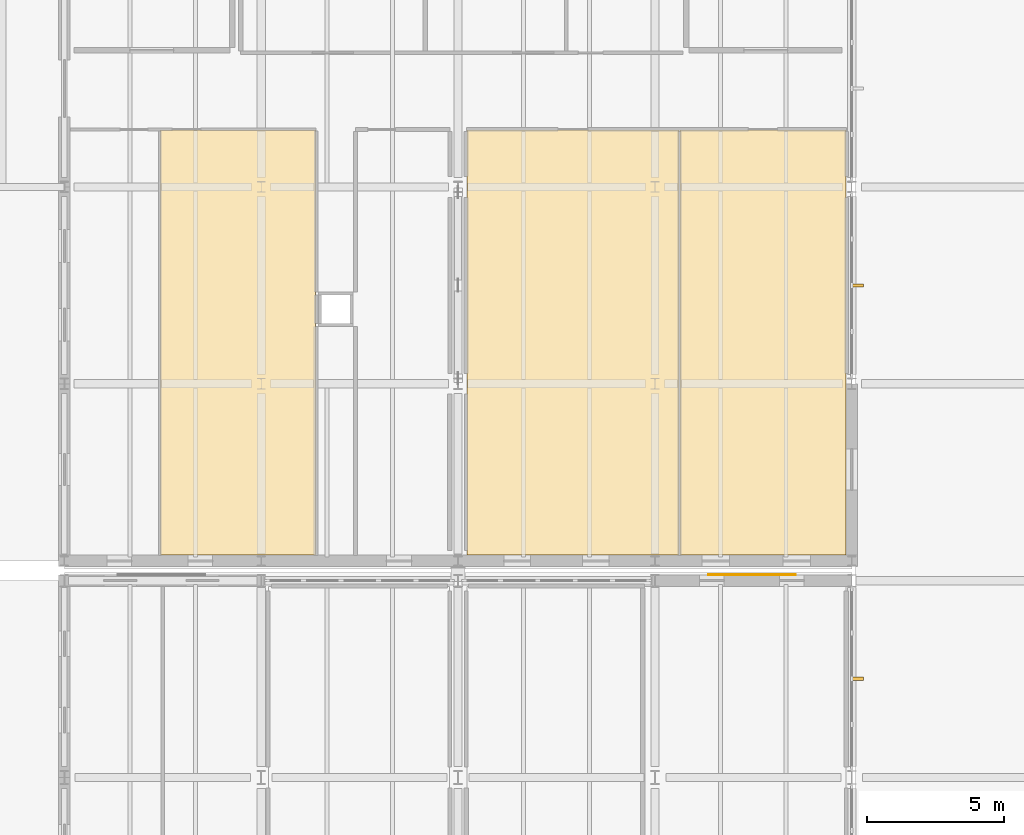
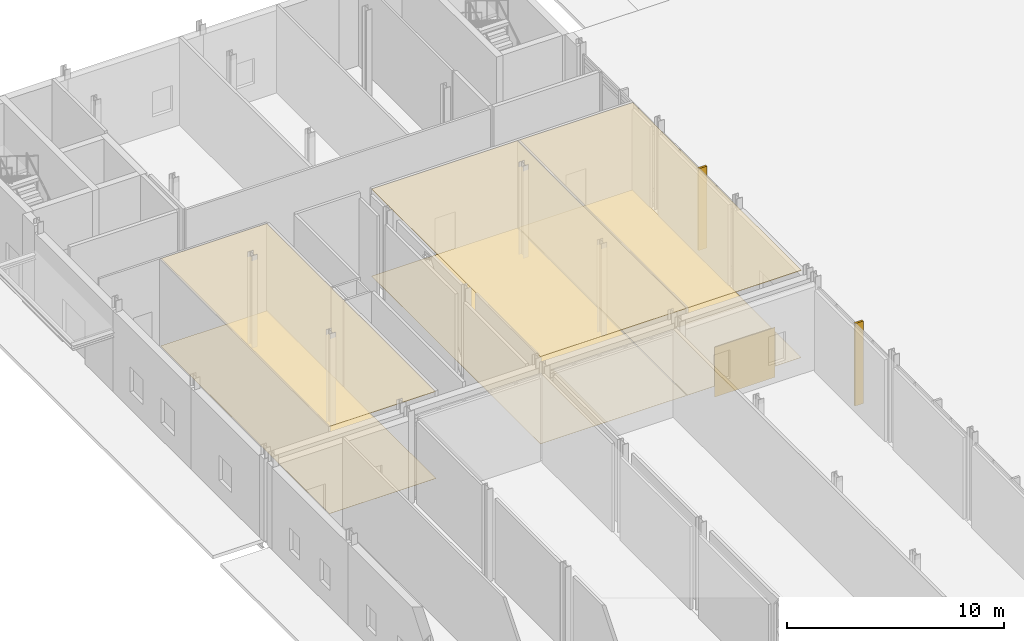
# One storey, part 78 of 89: 7 coverings, 2 shading devices.
"""IFC4 building model written with IfcOpenShell, lengths in metres."""

from ifc_helpers import new_model, si_unit, direction, frame, origin, origin_2d, place, context, subcontext, project, spatial, polyline, rectangle, outline, extrude, material, layer, layer_set, type_object, element, save


model = new_model("IFC4")

# Units and contexts
model_context = context("Model", 3, precision=1e-05, world=origin(), true_north=direction((0.0, 1.0)))
body_context = subcontext(model_context, "Body", "Model", "MODEL_VIEW")
ifc_project = project(units=[si_unit("LENGTHUNIT", "METRE"), si_unit("AREAUNIT", "SQUARE_METRE"), si_unit("VOLUMEUNIT", "CUBIC_METRE"), si_unit("PLANEANGLEUNIT", "RADIAN"), si_unit("MASSUNIT", "GRAM", prefix="KILO")], contexts=[model_context])

# Site, building, storey
site_placement = place(None, origin())
site = spatial("IfcSite", under=ifc_project, at=site_placement, CompositionType="ELEMENT")
building_placement = place(site_placement, origin())
building = spatial("IfcBuilding", under=site, at=building_placement, Name="Zarrinpeak Specialist Clinic", CompositionType="ELEMENT")
storey_placement = place(building_placement, origin())
storey = spatial("IfcBuildingStorey", under=building, at=storey_placement, Name="L00", CompositionType="ELEMENT", Elevation=0.0)

# Coverings
ifc_material_1 = material(Name="Hygienic Acoustic Mineral Fibre Tile")
ifc_layer_1 = layer(ifc_material_1, 0.02490234375)
ifc_layer_set_1 = layer_set([ifc_layer_1], Name="Hygienic Acoustic Mineral Fibre Tile")
covering_type_1 = type_object("IfcCoveringType", Name="CV-CEIL-AC", PredefinedType="CEILING", material=ifc_layer_set_1)
covering_1_placement = place(storey_placement, frame((0.0, 0.0, 4.885009765625)))
element("IfcCovering", 1, at=covering_1_placement, inside=storey, type_object=covering_type_1, Name="L00 Imaging Gowning Waiting Area Hygienic Acoustic Ceiling", PredefinedType="CEILING", context=body_context, shape_type="SweptSolid", body=[
    extrude(outline(polyline([(3.52001953125, 51.340087890625), (9.179931640625, 51.340087890625), (9.179931640625, 66.8798828125), (3.52001953125, 66.8798828125), (3.52001953125, 51.340087890625)])), origin(), (0.0, 0.0, 1.0), 0.02490234375),
])
covering_2_placement = place(storey_placement, frame((0.0, 0.0, 4.885009765625)))
element("IfcCovering", 2, at=covering_2_placement, inside=storey, type_object=covering_type_1, Name="L00 Specialist Consultation Room 1 Hygienic Acoustic Ceiling", PredefinedType="CEILING", context=body_context, shape_type="SweptSolid", body=[
    extrude(outline(polyline([(22.52001953125, 51.340087890625), (28.580078125, 51.340087890625), (28.580078125, 66.8798828125), (22.52001953125, 66.8798828125), (22.52001953125, 51.340087890625)])), origin(), (0.0, 0.0, 1.0), 0.02490234375),
])
covering_3_placement = place(storey_placement, frame((0.0, 0.0, 4.885009765625)))
element("IfcCovering", 3, at=covering_3_placement, inside=storey, type_object=covering_type_1, Name="L00 Specialist Consultation Room 2 Hygienic Acoustic Ceiling", PredefinedType="CEILING", context=body_context, shape_type="SweptSolid", body=[
    extrude(outline(polyline([(14.719970703125, 51.340087890625), (22.47998046875, 51.340087890625), (22.47998046875, 66.8798828125), (14.719970703125, 66.8798828125), (14.719970703125, 51.340087890625)])), origin(), (0.0, 0.0, 1.0), 0.02490234375),
])
ifc_material_2 = material(Name="Glulam GL28h", Category="wood")
ifc_layer_2 = layer(ifc_material_2, 0.034912109375)
ifc_layer_set_2 = layer_set([ifc_layer_2], Name="Glulam GL28h")
covering_type_2 = type_object("IfcCoveringType", Name="CV-CLD-GL", PredefinedType="CLADDING", material=ifc_layer_set_2)
covering_4_placement = place(storey_placement, frame((25.14501953125, 50.615478515625, -0.01025390625), z_axis=(0.0, 0.0, 1.0), x_axis=(1.0, 0.0, 0.0)))
element("IfcCovering", 4, at=covering_4_placement, inside=storey, type_object=covering_type_2, Name="L00 V1 Courtyard Cedar-Glulam Cladding Panel CV-CLD-06", PredefinedType="CLADDING", context=body_context, shape_type="SweptSolid", body=[
    extrude(rectangle(XDim=3.199951171875, YDim=0.034912109375, at=origin_2d()), origin(), (0.0, 0.0, 1.0), 2.800048828125),
])
ifc_material_3 = material(Name="Homogeneous Antimicrobial Clinical Vinyl")
ifc_layer_3 = layer(ifc_material_3, 0.008056640625)
ifc_layer_set_3 = layer_set([ifc_layer_3], Name="Homogeneous Antimicrobial Clinical Vinyl")
covering_type_3 = type_object("IfcCoveringType", Name="CV-FLR-VN", PredefinedType="FLOORING", material=ifc_layer_set_3)
covering_5_placement = place(storey_placement, frame((0.0, 0.0, 0.0009765625)))
element("IfcCovering", 5, at=covering_5_placement, inside=storey, type_object=covering_type_3, Name="L00 Imaging Gowning Waiting Area Antimicrobial Vinyl Flooring", PredefinedType="FLOORING", context=body_context, shape_type="SweptSolid", body=[
    extrude(outline(polyline([(3.52001953125, 51.340087890625), (9.179931640625, 51.340087890625), (9.179931640625, 66.8798828125), (3.52001953125, 66.8798828125), (3.52001953125, 51.340087890625)])), origin(), (0.0, 0.0, 1.0), 0.008056640625),
])
covering_6_placement = place(storey_placement, frame((0.0, 0.0, 0.0009765625)))
element("IfcCovering", 6, at=covering_6_placement, inside=storey, type_object=covering_type_3, Name="L00 Specialist Consultation Room 1 Antimicrobial Vinyl Flooring", PredefinedType="FLOORING", context=body_context, shape_type="SweptSolid", body=[
    extrude(outline(polyline([(22.52001953125, 51.340087890625), (28.580078125, 51.340087890625), (28.580078125, 66.8798828125), (22.52001953125, 66.8798828125), (22.52001953125, 51.340087890625)])), origin(), (0.0, 0.0, 1.0), 0.008056640625),
])
covering_7_placement = place(storey_placement, frame((0.0, 0.0, 0.0009765625)))
element("IfcCovering", 7, at=covering_7_placement, inside=storey, type_object=covering_type_3, Name="L00 Specialist Consultation Room 2 Antimicrobial Vinyl Flooring", PredefinedType="FLOORING", context=body_context, shape_type="SweptSolid", body=[
    extrude(outline(polyline([(14.719970703125, 51.340087890625), (22.47998046875, 51.340087890625), (22.47998046875, 66.8798828125), (14.719970703125, 66.8798828125), (14.719970703125, 51.340087890625)])), origin(), (0.0, 0.0, 1.0), 0.008056640625),
])

# Shading devices
shading_device_type = type_object("IfcShadingDeviceType", Name="SHD-FIN-GL", PredefinedType="USERDEFINED", material=ifc_material_2)
shading_device_1_placement = place(storey_placement, frame((29.0, 46.8125, -0.014892578125), z_axis=(0.0, 0.0, 1.0), x_axis=(1.0, 0.0, 0.0)))
element("IfcShadingDevice", 8, at=shading_device_1_placement, inside=storey, type_object=shading_device_type, Name="L00 V1 Cedar-Glulam Courtyard Fin FIN-004", ObjectType="SUNSHADE", PredefinedType="USERDEFINED", context=body_context, shape_type="SweptSolid", body=[
    extrude(rectangle(XDim=0.449951171875, YDim=0.110107421875, at=origin_2d()), origin(), (0.0, 0.0, 1.0), 4.625),
])
shading_device_2_placement = place(storey_placement, frame((29.0, 61.199951171875, -0.01513671875), z_axis=(0.0, 0.0, 1.0), x_axis=(1.0, 0.0, 0.0)))
element("IfcShadingDevice", 9, at=shading_device_2_placement, inside=storey, type_object=shading_device_type, Name="L00 V5 Cedar-Glulam Courtyard Fin FIN-073", ObjectType="SUNSHADE", PredefinedType="USERDEFINED", context=body_context, shape_type="SweptSolid", body=[
    extrude(rectangle(XDim=0.449951171875, YDim=0.110107421875, at=origin_2d()), origin(), (0.0, 0.0, 1.0), 4.594970703125),
])

save(model, "model.ifc")
